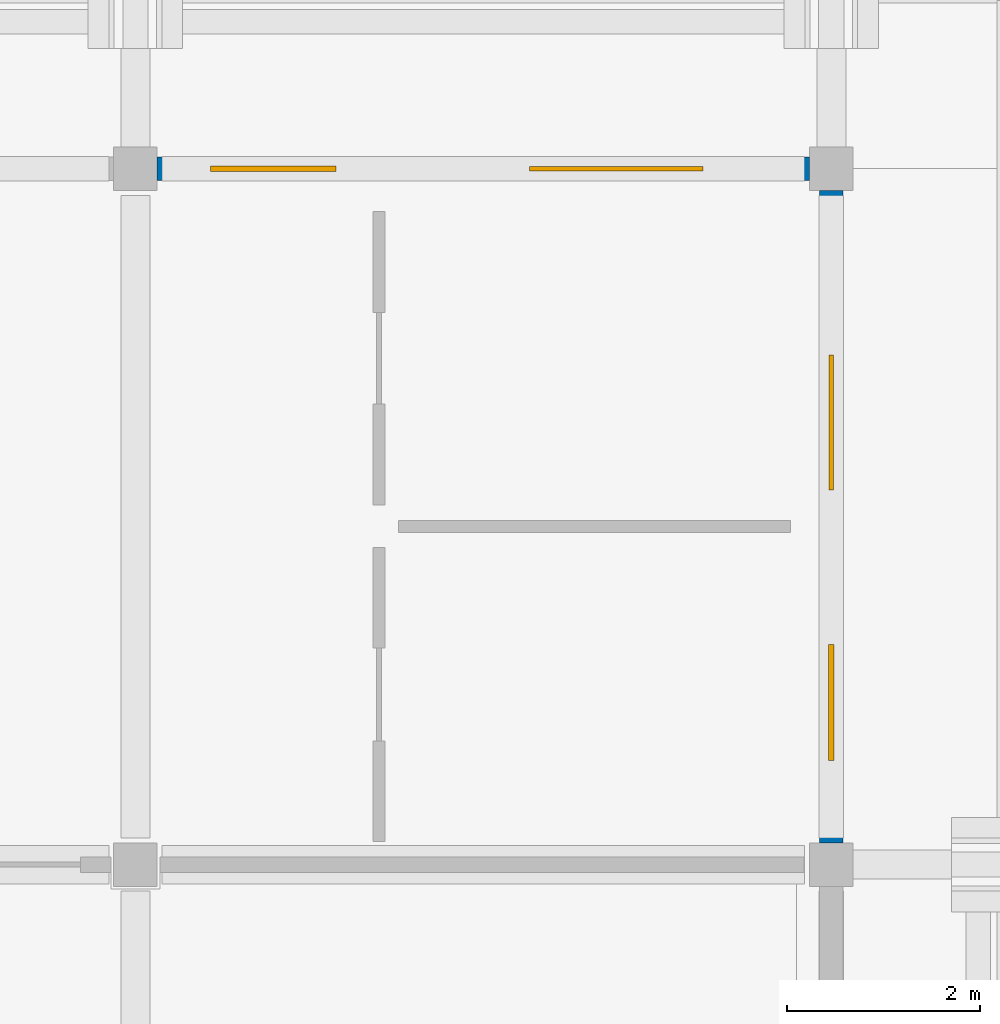
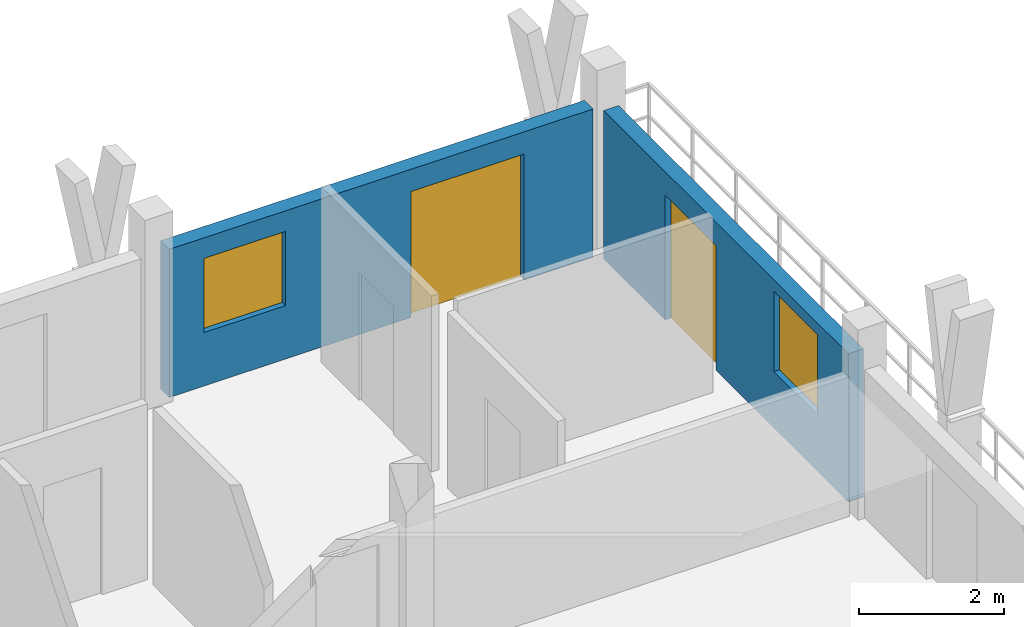
# One storey, part 43 of 56: 2 doors, 2 walls, 2 windows, 4 openings.
"""IFC4 building model written with IfcOpenShell, lengths in metres."""

from ifc_helpers import new_model, si_unit, direction, frame, frame_2d, origin, place, context, subcontext, project, spatial, rectangle, extrude, material, layer, layer_set, type_object, element, fill, save


model = new_model("IFC4")

# Units and contexts
model_context = context("Model", 3, precision=1e-05, world=origin(), true_north=direction((0.0, 1.0)))
body_context = subcontext(model_context, "Body", "Model", "MODEL_VIEW")
ifc_project = project(units=[si_unit("LENGTHUNIT", "METRE"), si_unit("AREAUNIT", "SQUARE_METRE"), si_unit("VOLUMEUNIT", "CUBIC_METRE"), si_unit("PLANEANGLEUNIT", "RADIAN"), si_unit("MASSUNIT", "GRAM", prefix="KILO")], contexts=[model_context])

# Site, building, storey
site_placement = place(None, origin())
site = spatial("IfcSite", under=ifc_project, at=site_placement, CompositionType="ELEMENT")
building_placement = place(site_placement, origin())
building = spatial("IfcBuilding", under=site, at=building_placement, Name="Suanplinth Sawtooth Commons", CompositionType="ELEMENT")
storey_placement = place(building_placement, frame((0.0, 0.0, 34.800048828125)))
storey = spatial("IfcBuildingStorey", under=building, at=storey_placement, Name="L10", CompositionType="ELEMENT", Elevation=34.800048828125)

# Wall, openings, door, window
ifc_material_1 = material(Name="Precast concrete C40/50", Category="concrete")
ifc_layer = layer(ifc_material_1, 0.239990234375, Name="Upper insulated precast facade wall 240mm")
ifc_layer_set = layer_set([ifc_layer], Name="Precast concrete C40/50")
wall_type = type_object("IfcWallType", Name="W-EX03", PredefinedType="ELEMENTEDWALL", material=ifc_layer_set)
wall_1_placement = place(storey_placement, frame((180.22509765625, 122.39990234375, 0.0), z_axis=(0.0, 0.0, 1.0), x_axis=(1.0, 0.0, 0.0)))
wall_1 = element("IfcWall", 1, at=wall_1_placement, inside=storey, type_object=wall_type, Name="Facade Wall W-L10-B-N-25-16", PredefinedType="ELEMENTEDWALL", context=body_context, shape_type="SweptSolid", body=[
    extrude(rectangle(XDim=6.75, YDim=0.239990234375, at=frame_2d((3.375, 0.0))), origin(), (0.0, 0.0, 1.0), 2.494873046875),
])
opening_1_placement = place(wall_1_placement, frame((3.85009765625, 0.0, 0.0)))
opening_1 = element("IfcOpeningElement", 2, at=opening_1_placement, cuts=wall_1, Name="Opening ED0762", PredefinedType="OPENING", context=body_context, shape_type="SweptSolid", body=[
    extrude(rectangle(XDim=1.800048828125, YDim=2.1201171875, at=frame_2d((0.89990234375, 1.06005859375))), frame((0.0, 0.134765625, 0.0), z_axis=(0.0, -1.0, 0.0), x_axis=(1.0, 0.0, 0.0)), (0.0, 0.0, 1.0), 0.269775390625),
])
opening_2_placement = place(wall_1_placement, frame((0.550048828125, 0.0, 0.89990234375)))
opening_2 = element("IfcOpeningElement", 3, at=opening_2_placement, cuts=wall_1, Name="Opening W0844", PredefinedType="OPENING", context=body_context, shape_type="SweptSolid", body=[
    extrude(rectangle(XDim=1.300048828125, YDim=1.25, at=frame_2d((0.64990234375, 0.625))), frame((0.0, 0.134765625, 0.0), z_axis=(0.0, -1.0, 0.0), x_axis=(1.0, 0.0, 0.0)), (0.0, 0.0, 1.0), 0.269775390625),
])
ifc_material_2 = material(Name="Anodized aluminium and low-E glass", Category="aluminium")
door_type_1 = type_object("IfcDoorType", Name="SD-01", OperationType="SLIDING_TO_LEFT", PredefinedType="DOOR", material=ifc_material_2)
door_1_placement = place(opening_1_placement, frame((1.800048828125, 0.0, 0.0), z_axis=(0.0, 0.0, 1.0), x_axis=(-1.0, 0.0, 0.0)))
door_1 = element("IfcDoor", 4, at=door_1_placement, inside=storey, type_object=door_type_1, Name="Balcony Sliding Door L10-B-25", OperationType="SLIDING_TO_LEFT", OverallHeight=2.1201171875, OverallWidth=1.800048828125, PredefinedType="DOOR", context=body_context, shape_type="SweptSolid", body=[
    extrude(rectangle(XDim=1.800048828125, YDim=2.1201171875, at=frame_2d((0.89990234375, 1.06005859375))), frame((0.0, 0.02490234375, 0.0), z_axis=(0.0, -1.0, 0.0), x_axis=(1.0, 0.0, 0.0)), (0.0, 0.0, 1.0), 0.050048828125),
])
fill(opening_1, door_1)
ifc_material_3 = material(Name="Thermally broken aluminium and low-E double glazing", Category="aluminium")
window_type_1 = type_object("IfcWindowType", Name="WN-24", PartitioningType="SINGLE_PANEL", PredefinedType="WINDOW", material=ifc_material_3)
window_1_placement = place(opening_2_placement, origin())
window_1 = element("IfcWindow", 5, at=window_1_placement, inside=storey, type_object=window_type_1, Name="Apartment Window L10-B-25", OverallHeight=1.25, OverallWidth=1.300048828125, PartitioningType="SINGLE_PANEL", PredefinedType="WINDOW", context=body_context, shape_type="SweptSolid", body=[
    extrude(rectangle(XDim=1.300048828125, YDim=1.25, at=frame_2d((0.64990234375, 0.625))), frame((0.0, 0.030029296875, 0.0), z_axis=(0.0, -1.0, 0.0), x_axis=(1.0, 0.0, 0.0)), (0.0, 0.0, 1.0), 0.06005859375),
])
fill(opening_2, window_1)

wall_2_placement = place(storey_placement, frame((187.199951171875, 115.425048828125, 0.0), z_axis=(0.0, 0.0, 1.0), x_axis=(0.0, 1.0, 0.0)))
wall_2 = element("IfcWall", 6, at=wall_2_placement, inside=storey, type_object=wall_type, Name="Facade Wall W-L10-B-E-25-16", PredefinedType="ELEMENTEDWALL", context=body_context, shape_type="SweptSolid", body=[
    extrude(rectangle(XDim=6.75, YDim=0.239990234375, at=frame_2d((3.375, 0.0))), origin(), (0.0, 0.0, 1.0), 2.494873046875),
])
opening_3_placement = place(wall_2_placement, frame((3.64990234375, 0.0, 0.0)))
opening_3 = element("IfcOpeningElement", 7, at=opening_3_placement, cuts=wall_2, Name="Opening ED0763", PredefinedType="OPENING", context=body_context, shape_type="SweptSolid", body=[
    extrude(rectangle(XDim=1.39990234375, YDim=2.10009765625, at=frame_2d((0.699951171875, 1.050048828125))), frame((0.0, 0.134765625, 0.0), z_axis=(0.0, -1.0, 0.0), x_axis=(1.0, 0.0, 0.0)), (0.0, 0.0, 1.0), 0.269775390625),
])
opening_4_placement = place(wall_2_placement, frame((0.85009765625, 0.0, 0.949951171875)))
opening_4 = element("IfcOpeningElement", 8, at=opening_4_placement, cuts=wall_2, Name="Opening W0845", PredefinedType="OPENING", context=body_context, shape_type="SweptSolid", body=[
    extrude(rectangle(XDim=1.199951171875, YDim=1.35009765625, at=frame_2d((0.60009765625, 0.675048828125))), frame((0.0, 0.134765625, 0.0), z_axis=(0.0, -1.0, 0.0), x_axis=(1.0, 0.0, 0.0)), (0.0, 0.0, 1.0), 0.269775390625),
])
door_type_2 = type_object("IfcDoorType", Name="SD-07", OperationType="SLIDING_TO_RIGHT", PredefinedType="DOOR", material=ifc_material_2)
door_2_placement = place(opening_3_placement, frame((1.39990234375, 0.0, 0.0), z_axis=(0.0, 0.0, 1.0), x_axis=(-1.0, 0.0, 0.0)))
door_2 = element("IfcDoor", 9, at=door_2_placement, inside=storey, type_object=door_type_2, Name="End Balcony Sliding Door L10-B-E-25-16", OperationType="SLIDING_TO_RIGHT", OverallHeight=2.10009765625, OverallWidth=1.39990234375, PredefinedType="DOOR", context=body_context, shape_type="SweptSolid", body=[
    extrude(rectangle(XDim=1.39990234375, YDim=2.10009765625, at=frame_2d((0.699951171875, 1.050048828125))), frame((0.0, 0.02490234375, 0.0), z_axis=(0.0, -1.0, 0.0), x_axis=(1.0, 0.0, 0.0)), (0.0, 0.0, 1.0), 0.050048828125),
])
fill(opening_3, door_2)
window_type_2 = type_object("IfcWindowType", Name="WN-03", PartitioningType="SINGLE_PANEL", PredefinedType="WINDOW", material=ifc_material_3)
window_2_placement = place(opening_4_placement, origin())
window_2 = element("IfcWindow", 10, at=window_2_placement, inside=storey, type_object=window_type_2, Name="End Bedroom Window L10-B-25-16", OverallHeight=1.35009765625, OverallWidth=1.199951171875, PartitioningType="SINGLE_PANEL", PredefinedType="WINDOW", context=body_context, shape_type="SweptSolid", body=[
    extrude(rectangle(XDim=1.199951171875, YDim=1.35009765625, at=frame_2d((0.60009765625, 0.675048828125))), frame((0.0, 0.030029296875, 0.0), z_axis=(0.0, -1.0, 0.0), x_axis=(1.0, 0.0, 0.0)), (0.0, 0.0, 1.0), 0.06005859375),
])
fill(opening_4, window_2)

save(model, "model.ifc")
